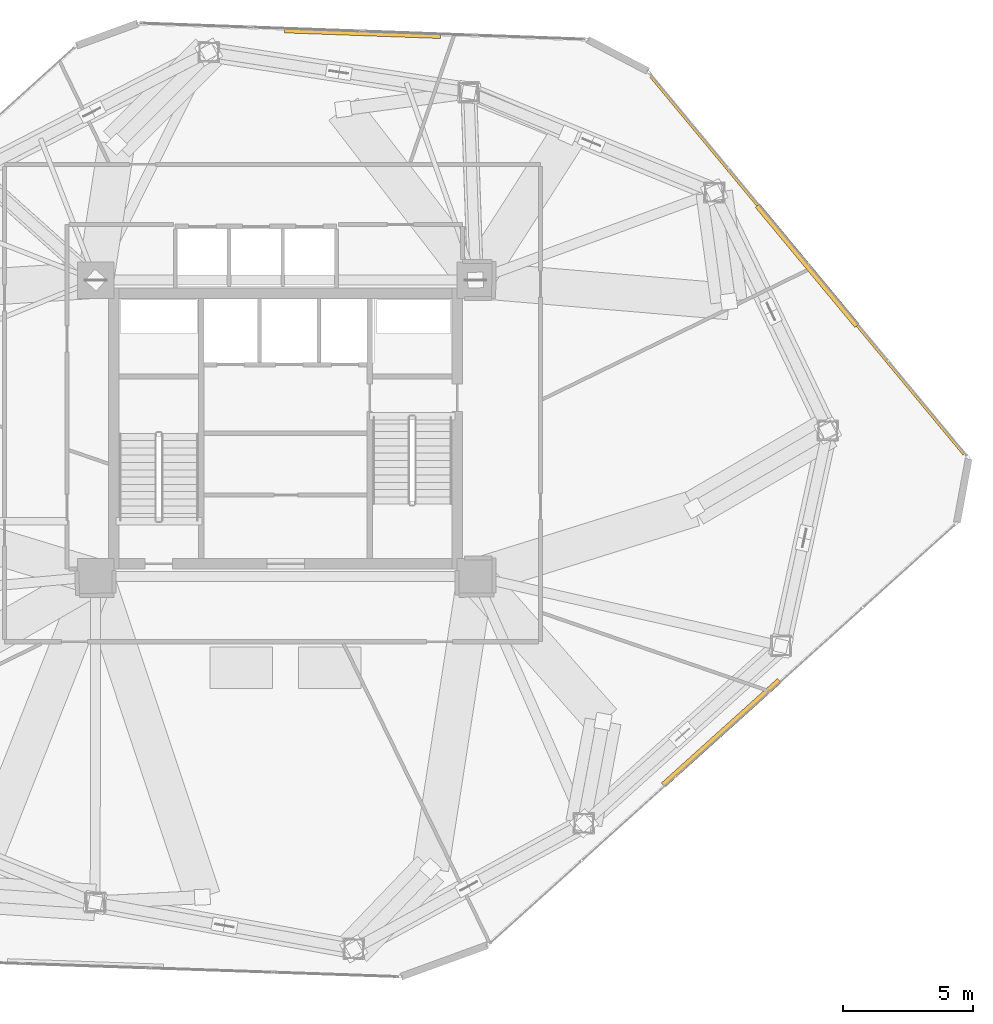
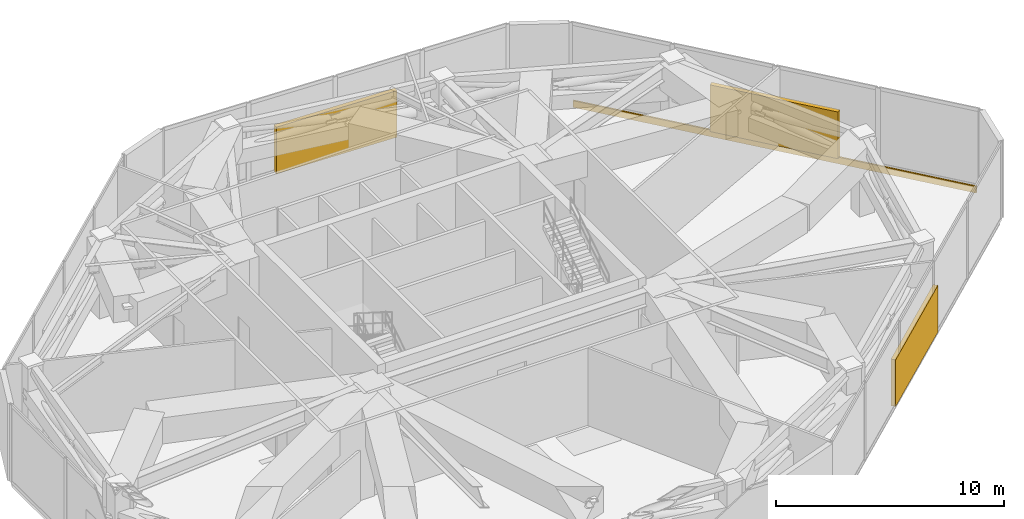
# One storey, part 25 of 25: 3 shading devices, 1 covering.
"""IFC4 building model written with IfcOpenShell, lengths in metres."""

from ifc_helpers import new_model, si_unit, direction, frame, origin, origin_2d, place, context, subcontext, project, spatial, rectangle, extrude, source, transform, mapped, material, layer, layer_set, type_object, type_shapes, element, save


model = new_model("IFC4")

# Units and contexts
model_context = context("Model", 3, precision=1e-05, world=origin(), true_north=direction((0.0, 1.0)))
body_context = subcontext(model_context, "Body", "Model", "MODEL_VIEW")
ifc_project = project(units=[si_unit("LENGTHUNIT", "METRE"), si_unit("AREAUNIT", "SQUARE_METRE"), si_unit("VOLUMEUNIT", "CUBIC_METRE"), si_unit("PLANEANGLEUNIT", "RADIAN"), si_unit("MASSUNIT", "GRAM", prefix="KILO")], contexts=[model_context])

# Site, building, storey
site_placement = place(None, origin())
site = spatial("IfcSite", under=ifc_project, at=site_placement, CompositionType="ELEMENT")
building_placement = place(site_placement, origin())
building = spatial("IfcBuilding", under=site, at=building_placement, Name="Talar Marvaseh", CompositionType="ELEMENT")
storey_placement = place(building_placement, frame((0.0, 0.0, 84.800048828125)))
storey = spatial("IfcBuildingStorey", under=building, at=storey_placement, Name="L21", CompositionType="ELEMENT", Elevation=84.800048828125)

# Covering
ifc_material_1 = material(Name="Precast concrete C45/55", Category="concrete")
ifc_layer = layer(ifc_material_1, 0.080078125)
ifc_layer_set = layer_set([ifc_layer], Name="Precast concrete C45/55")
covering_type = type_object("IfcCoveringType", Name="Precast Limestone Spandrel Cladding Band", PredefinedType="CLADDING", material=ifc_layer_set)
shared_shape_1 = source(origin(), body_context, "Body", "SweptSolid", [
    extrude(rectangle(XDim=18.865966796875, YDim=0.080078125, at=origin_2d()), origin(), (0.0, 0.0, 1.0), 0.360107421875),
])
type_shapes(covering_type, [shared_shape_1])
covering_placement = place(storey_placement, frame((46.052978515625, 37.459228515625, -0.3203125), z_axis=(0.0, 0.0, 1.0), x_axis=(0.638096146601, -0.769956692089, 0.0)))
element("IfcCovering", 1, at=covering_placement, inside=storey, type_object=covering_type, Name="L21 Precast Limestone Slab-Edge Spandrel Band", PredefinedType="CLADDING", context=body_context, shape_type="MappedRepresentation", body=[
    mapped(shared_shape_1, transform((0.0, 0.0, 0.0), x_axis=(1.0, 0.0, 0.0), y_axis=(0.0, 1.0, 0.0), z_axis=(0.0, 0.0, 1.0), scale=1.0)),
])

# Shading devices
ifc_material_2 = material(Name="Anodised Champagne Bronze Aluminium", Category="aluminium")
shading_device_type = type_object("IfcShadingDeviceType", Name="Acoustic Weatherproof Plant Louvre Bank", PredefinedType="USERDEFINED", material=ifc_material_2)
shared_shape_2 = source(origin(), body_context, "Body", "SweptSolid", [
    extrude(rectangle(XDim=6.0, YDim=0.219970703125, at=origin_2d()), origin(), (0.0, 0.0, 1.0), 2.5),
])
type_shapes(shading_device_type, [shared_shape_2])
for number, where, z_axis, x_axis, name in (
    (2, (28.96337890625, 46.403564453125, 0.0), (0.0, 0.0, 1.0), (0.999347443393, -0.036120456584, 0.0), "L21 Acoustic Plant Louvre Screen"),
    (3, (46.052978515625, 37.459228515625, 0.0), (0.0, 0.0, 1.0), (0.638096146601, -0.769956692089, 0.0), "L21 Acoustic Plant Louvre Screen"),
    (4, (42.747802734375, 19.495361328125, 0.0), (0.0, 0.0, 1.0), (-0.74326159948, -0.669000892928, 0.0), "L21 Acoustic Plant Louvre Screen"),
):
    element("IfcShadingDevice", number, at=place(storey_placement, frame(where, z_axis=z_axis, x_axis=x_axis)), inside=storey, type_object=shading_device_type, Name=name, ObjectType="LOUVRE", PredefinedType="USERDEFINED", context=body_context, shape_type="MappedRepresentation", body=[
        mapped(shared_shape_2, transform((0.0, 0.0, 0.0), x_axis=(1.0, 0.0, 0.0), y_axis=(0.0, 1.0, 0.0), z_axis=(0.0, 0.0, 1.0), scale=1.0)),
    ])

save(model, "model.ifc")
